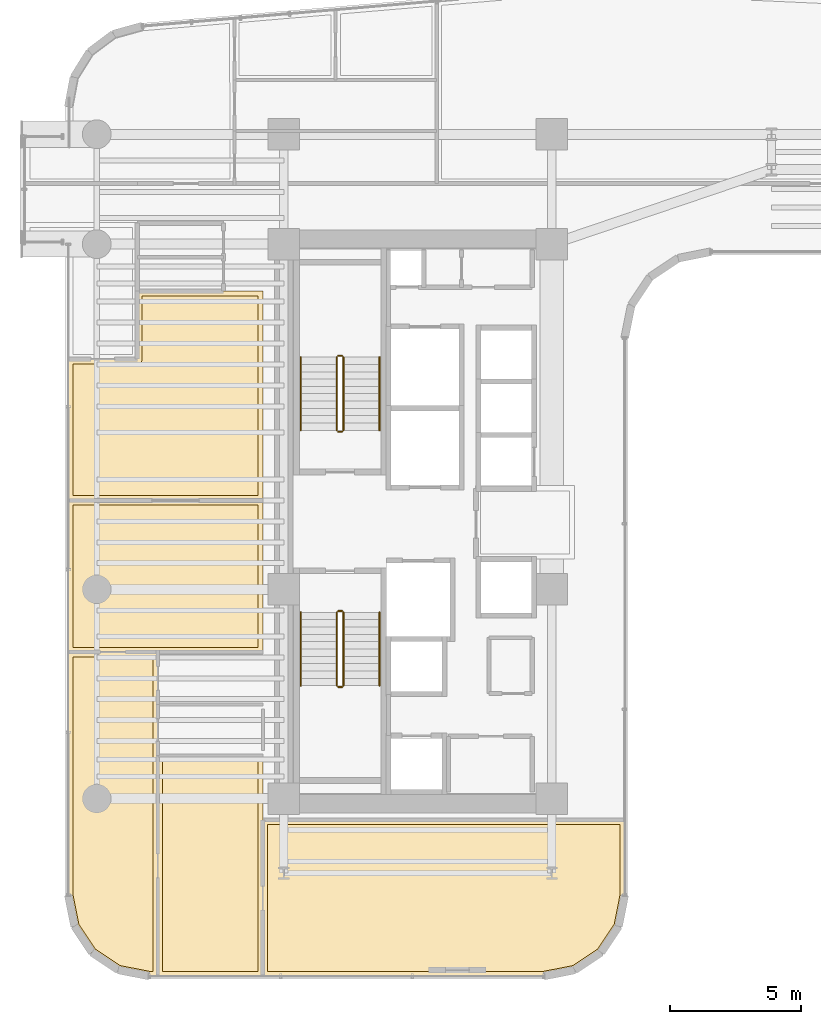
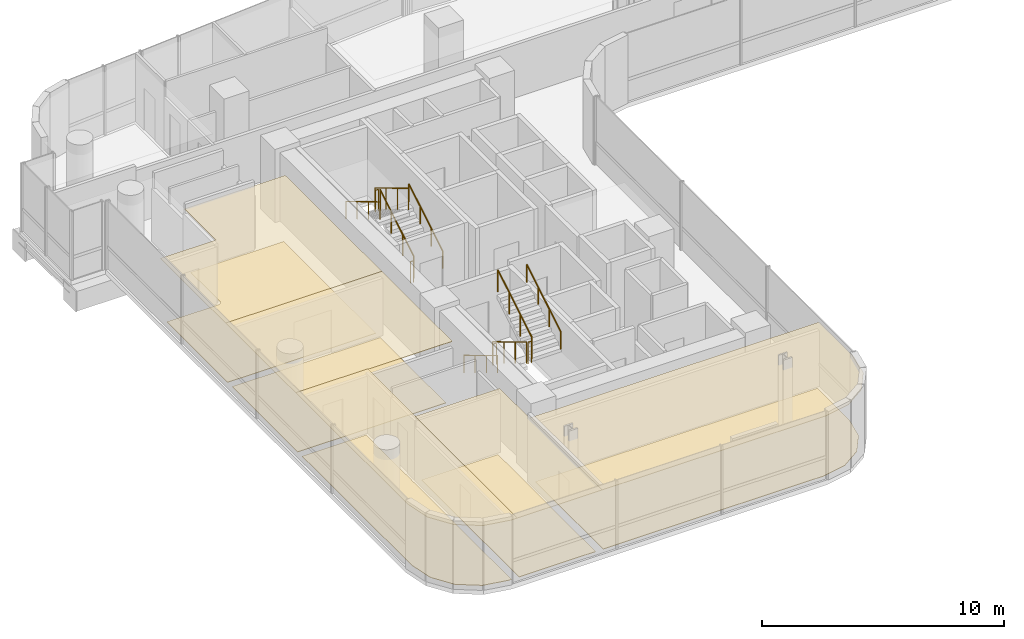
# One storey, part 32 of 35: 12 railings, 10 coverings.
"""IFC4 building model written with IfcOpenShell, lengths in metres."""

from ifc_helpers import new_model, si_unit, direction, frame, origin, origin_2d, place, context, subcontext, project, spatial, polyline, circle, outline, extrude, material, layer, layer_set, type_object, element, save


model = new_model("IFC4")

# Units and contexts
model_context = context("Model", 3, precision=1e-05, world=origin(), true_north=direction((0.0, 1.0)))
body_context = subcontext(model_context, "Body", "Model", "MODEL_VIEW")
ifc_project = project(units=[si_unit("LENGTHUNIT", "METRE"), si_unit("AREAUNIT", "SQUARE_METRE"), si_unit("VOLUMEUNIT", "CUBIC_METRE"), si_unit("PLANEANGLEUNIT", "RADIAN"), si_unit("MASSUNIT", "GRAM", prefix="KILO")], contexts=[model_context])

# Site, building, storey
site_placement = place(None, origin())
site = spatial("IfcSite", under=ifc_project, at=site_placement, CompositionType="ELEMENT")
building_placement = place(site_placement, origin())
building = spatial("IfcBuilding", under=site, at=building_placement, Name="Valdorenza Pilgrim Sanctuary Tower", CompositionType="ELEMENT")
storey_placement = place(building_placement, frame((0.0, 0.0, 150.10009765625)))
storey = spatial("IfcBuildingStorey", under=building, at=storey_placement, Name="L38", CompositionType="ELEMENT", Elevation=150.10009765625)

# Coverings
ifc_material_1 = material(Name="Micro-perforated acoustic mineral ceiling tile", Category="gypsum")
ifc_layer_1 = layer(ifc_material_1, 0.02490234375, Name="Micro-perforated acoustic mineral ceiling tile")
ifc_layer_set_1 = layer_set([ifc_layer_1], Name="Micro-perforated acoustic mineral ceiling tile")
covering_type_1 = type_object("IfcCoveringType", Name="COV-CLG-ACU", PredefinedType="CEILING", material=ifc_layer_set_1)
covering_1_placement = place(storey_placement, frame((0.0, 0.0, 3.159912109375)))
element("IfcCovering", 1, at=covering_1_placement, inside=storey, type_object=covering_type_1, Name="L38 Sanctuary Apartment L38-CS1 Bedroom Acoustic Ceiling", PredefinedType="CEILING", context=body_context, shape_type="SweptSolid", body=[
    extrude(outline(polyline([(-27.482666015625, -8.949951171875), (-27.482421875, -8.948486328125), (-27.482421875, -8.947021484375), (-27.48193359375, -8.945556640625), (-27.4814453125, -8.9443359375), (-27.480712890625, -8.94287109375), (-27.47998046875, -8.941650390625), (-27.479248046875, -8.9404296875), (-27.478271484375, -8.939453125), (-27.47705078125, -8.9384765625), (-27.475830078125, -8.9375), (-27.474609375, -8.936767578125), (-27.473388671875, -8.93603515625), (-27.471923828125, -8.935546875), (-27.470458984375, -8.935302734375), (-27.468994140625, -8.93505859375), (-27.467529296875, -8.93505859375), (-23.449951171875, -8.93505859375), (-23.448486328125, -8.93505859375), (-23.447021484375, -8.935302734375), (-23.445556640625, -8.935546875), (-23.4443359375, -8.93603515625), (-23.44287109375, -8.936767578125), (-23.441650390625, -8.9375), (-23.4404296875, -8.9384765625), (-23.439453125, -8.939453125), (-23.4384765625, -8.9404296875), (-23.4375, -8.941650390625), (-23.436767578125, -8.94287109375), (-23.43603515625, -8.9443359375), (-23.435546875, -8.945556640625), (-23.435302734375, -8.947021484375), (-23.43505859375, -8.948486328125), (-23.43505859375, -8.949951171875), (-23.43505859375, -17.389892578125), (-23.43505859375, -17.3916015625), (-23.435302734375, -17.392822265625), (-23.435546875, -17.394287109375), (-23.43603515625, -17.395751953125), (-23.436767578125, -17.397216796875), (-23.4375, -17.398193359375), (-23.4384765625, -17.3994140625), (-23.439453125, -17.400634765625), (-23.4404296875, -17.401611328125), (-23.441650390625, -17.402587890625), (-23.44287109375, -17.4033203125), (-23.4443359375, -17.40380859375), (-23.445556640625, -17.404296875), (-23.447021484375, -17.40478515625), (-23.448486328125, -17.40478515625), (-23.449951171875, -17.405029296875), (-27.467529296875, -17.405029296875), (-27.468994140625, -17.40478515625), (-27.470458984375, -17.40478515625), (-27.471923828125, -17.404296875), (-27.473388671875, -17.40380859375), (-27.474609375, -17.4033203125), (-27.475830078125, -17.402587890625), (-27.47705078125, -17.401611328125), (-27.478271484375, -17.400634765625), (-27.479248046875, -17.3994140625), (-27.47998046875, -17.398193359375), (-27.480712890625, -17.397216796875), (-27.4814453125, -17.395751953125), (-27.48193359375, -17.394287109375), (-27.482421875, -17.392822265625), (-27.482421875, -17.3916015625), (-27.482666015625, -17.389892578125), (-27.482666015625, -8.949951171875)])), origin(), (0.0, 0.0, 1.0), 0.02490234375),
])
covering_2_placement = place(storey_placement, frame((0.0, 0.0, 3.159912109375)))
element("IfcCovering", 2, at=covering_2_placement, inside=storey, type_object=covering_type_1, Name="L38 Sanctuary Apartment L38-CS1 Living Room Acoustic Ceiling", PredefinedType="CEILING", context=body_context, shape_type="SweptSolid", body=[
    extrude(outline(polyline([(-28.984619140625, -17.16748046875), (-28.986083984375, -17.1669921875), (-28.9873046875, -17.16650390625), (-28.98876953125, -17.166015625), (-28.989990234375, -17.165283203125), (-29.99169921875, -16.495849609375), (-29.992919921875, -16.4951171875), (-29.993896484375, -16.493896484375), (-29.9951171875, -16.492919921875), (-29.995849609375, -16.49169921875), (-30.665283203125, -15.489990234375), (-30.666015625, -15.48876953125), (-30.66650390625, -15.4873046875), (-30.6669921875, -15.486083984375), (-30.66748046875, -15.484619140625), (-30.90478515625, -14.2919921875), (-30.90478515625, -14.29052734375), (-30.905029296875, -14.289306640625), (-30.905029296875, -5.0), (-30.90478515625, -4.99853515625), (-30.90478515625, -4.9970703125), (-30.904296875, -4.99560546875), (-30.90380859375, -4.994384765625), (-30.9033203125, -4.992919921875), (-30.902587890625, -4.99169921875), (-30.901611328125, -4.990478515625), (-30.900634765625, -4.989501953125), (-30.8994140625, -4.98828125), (-30.898193359375, -4.987548828125), (-30.897216796875, -4.98681640625), (-30.895751953125, -4.986083984375), (-30.894287109375, -4.985595703125), (-30.892822265625, -4.9853515625), (-30.8916015625, -4.985107421875), (-30.889892578125, -4.985107421875), (-27.467529296875, -4.985107421875), (-27.466064453125, -4.985107421875), (-27.464599609375, -4.9853515625), (-27.463134765625, -4.985595703125), (-27.4619140625, -4.986083984375), (-27.46044921875, -4.98681640625), (-27.459228515625, -4.987548828125), (-27.4580078125, -4.98828125), (-27.45703125, -4.989501953125), (-27.4560546875, -4.990478515625), (-27.455078125, -4.99169921875), (-27.454345703125, -4.992919921875), (-27.45361328125, -4.994384765625), (-27.453125, -4.99560546875), (-27.452880859375, -4.9970703125), (-27.45263671875, -4.99853515625), (-27.45263671875, -5.0), (-27.45263671875, -8.947998046875), (-27.45263671875, -8.949462890625), (-27.452880859375, -8.950927734375), (-27.453369140625, -8.952392578125), (-27.453857421875, -8.953857421875), (-27.45458984375, -8.955322265625), (-27.45458984375, -8.95556640625), (-27.45458984375, -17.389892578125), (-27.45458984375, -17.3916015625), (-27.454833984375, -17.392822265625), (-27.455078125, -17.394287109375), (-27.455810546875, -17.395751953125), (-27.456298828125, -17.397216796875), (-27.45703125, -17.398193359375), (-27.4580078125, -17.3994140625), (-27.458984375, -17.400634765625), (-27.460205078125, -17.401611328125), (-27.461181640625, -17.402587890625), (-27.46240234375, -17.4033203125), (-27.4638671875, -17.40380859375), (-27.465087890625, -17.404296875), (-27.466796875, -17.40478515625), (-27.468017578125, -17.40478515625), (-27.469482421875, -17.405029296875), (-27.789306640625, -17.405029296875), (-27.79052734375, -17.40478515625), (-27.7919921875, -17.40478515625), (-28.984619140625, -17.16748046875)])), origin(), (0.0, 0.0, 1.0), 0.02490234375),
])
covering_3_placement = place(storey_placement, frame((0.0, 0.0, 3.159912109375)))
element("IfcCovering", 3, at=covering_3_placement, inside=storey, type_object=covering_type_1, Name="L38 South Contemplation Salon L38 Acoustic Ceiling", PredefinedType="CEILING", context=body_context, shape_type="SweptSolid", body=[
    extrude(outline(polyline([(-27.469482421875, -5.012939453125), (-30.889892578125, -5.012939453125), (-30.8916015625, -5.012939453125), (-30.892822265625, -5.0126953125), (-30.894287109375, -5.012451171875), (-30.895751953125, -5.011962890625), (-30.897216796875, -5.01123046875), (-30.898193359375, -5.010498046875), (-30.8994140625, -5.009521484375), (-30.900634765625, -5.008544921875), (-30.901611328125, -5.007568359375), (-30.902587890625, -5.00634765625), (-30.9033203125, -5.005126953125), (-30.90380859375, -5.003662109375), (-30.904296875, -5.00244140625), (-30.90478515625, -5.0009765625), (-30.90478515625, -4.99951171875), (-30.905029296875, -4.998046875), (-30.905029296875, 0.800048828125), (-30.90478515625, 0.801513671875), (-30.90478515625, 0.802978515625), (-30.904296875, 0.804443359375), (-30.90380859375, 0.8056640625), (-30.9033203125, 0.80712890625), (-30.902587890625, 0.808349609375), (-30.901611328125, 0.8095703125), (-30.900634765625, 0.810546875), (-30.8994140625, 0.8115234375), (-30.898193359375, 0.8125), (-30.897216796875, 0.813232421875), (-30.895751953125, 0.81396484375), (-30.894287109375, 0.814453125), (-30.892822265625, 0.814697265625), (-30.8916015625, 0.81494140625), (-30.889892578125, 0.81494140625), (-23.449951171875, 0.81494140625), (-23.448486328125, 0.81494140625), (-23.447021484375, 0.814697265625), (-23.445556640625, 0.814453125), (-23.4443359375, 0.81396484375), (-23.44287109375, 0.813232421875), (-23.441650390625, 0.8125), (-23.4404296875, 0.8115234375), (-23.439453125, 0.810546875), (-23.4384765625, 0.8095703125), (-23.4375, 0.808349609375), (-23.436767578125, 0.80712890625), (-23.43603515625, 0.8056640625), (-23.435546875, 0.804443359375), (-23.435302734375, 0.802978515625), (-23.43505859375, 0.801513671875), (-23.43505859375, 0.800048828125), (-23.43505859375, -4.998046875), (-23.43505859375, -4.99951171875), (-23.435302734375, -5.0009765625), (-23.435546875, -5.00244140625), (-23.43603515625, -5.003662109375), (-23.436767578125, -5.005126953125), (-23.4375, -5.00634765625), (-23.4384765625, -5.007568359375), (-23.439453125, -5.008544921875), (-23.4404296875, -5.009521484375), (-23.441650390625, -5.010498046875), (-23.44287109375, -5.01123046875), (-23.4443359375, -5.011962890625), (-23.445556640625, -5.012451171875), (-23.447021484375, -5.0126953125), (-23.448486328125, -5.012939453125), (-23.449951171875, -5.012939453125), (-27.4638671875, -5.012939453125), (-27.464599609375, -5.01318359375), (-27.466064453125, -5.01318359375), (-27.467529296875, -5.01318359375), (-27.468994140625, -5.01318359375), (-27.469482421875, -5.012939453125)])), origin(), (0.0, 0.0, 1.0), 0.02490234375),
])
covering_4_placement = place(storey_placement, frame((0.0, 0.0, 3.159912109375)))
element("IfcCovering", 4, at=covering_4_placement, inside=storey, type_object=covering_type_1, Name="L38 North Contemplation Salon L38 Acoustic Ceiling", PredefinedType="CEILING", context=body_context, shape_type="SweptSolid", body=[
    extrude(outline(polyline([(-28.262939453125, 6.212890625), (-28.262939453125, 8.798095703125), (-28.262939453125, 8.799560546875), (-28.2626953125, 8.80078125), (-28.262451171875, 8.802490234375), (-28.261962890625, 8.8037109375), (-28.26123046875, 8.80517578125), (-28.260498046875, 8.806396484375), (-28.259521484375, 8.8076171875), (-28.258544921875, 8.80859375), (-28.257568359375, 8.8095703125), (-28.25634765625, 8.810546875), (-28.255126953125, 8.811279296875), (-28.253662109375, 8.81201171875), (-28.25244140625, 8.8125), (-28.2509765625, 8.812744140625), (-28.24951171875, 8.81298828125), (-28.248046875, 8.81298828125), (-24.955322265625, 8.81298828125), (-24.954833984375, 8.813232421875), (-24.95361328125, 8.81396484375), (-24.9521484375, 8.814453125), (-24.95068359375, 8.814697265625), (-24.949462890625, 8.81494140625), (-24.947998046875, 8.81494140625), (-23.449951171875, 8.81494140625), (-23.448486328125, 8.81494140625), (-23.447021484375, 8.814697265625), (-23.445556640625, 8.814453125), (-23.4443359375, 8.81396484375), (-23.44287109375, 8.813232421875), (-23.441650390625, 8.8125), (-23.4404296875, 8.8115234375), (-23.439453125, 8.810546875), (-23.4384765625, 8.8095703125), (-23.4375, 8.808349609375), (-23.436767578125, 8.80712890625), (-23.43603515625, 8.8056640625), (-23.435546875, 8.804443359375), (-23.435302734375, 8.802978515625), (-23.43505859375, 8.801513671875), (-23.43505859375, 8.800048828125), (-23.43505859375, 0.802001953125), (-23.43505859375, 0.800537109375), (-23.435302734375, 0.799072265625), (-23.435546875, 0.797607421875), (-23.43603515625, 0.79638671875), (-23.436767578125, 0.794921875), (-23.4375, 0.793701171875), (-23.4384765625, 0.79248046875), (-23.439453125, 0.79150390625), (-23.4404296875, 0.790283203125), (-23.441650390625, 0.78955078125), (-23.44287109375, 0.788818359375), (-23.4443359375, 0.7880859375), (-23.445556640625, 0.78759765625), (-23.447021484375, 0.787353515625), (-23.448486328125, 0.787109375), (-23.449951171875, 0.787109375), (-30.889892578125, 0.787109375), (-30.8916015625, 0.787109375), (-30.892822265625, 0.787353515625), (-30.894287109375, 0.78759765625), (-30.895751953125, 0.7880859375), (-30.897216796875, 0.788818359375), (-30.898193359375, 0.78955078125), (-30.8994140625, 0.790283203125), (-30.900634765625, 0.79150390625), (-30.901611328125, 0.79248046875), (-30.902587890625, 0.793701171875), (-30.9033203125, 0.794921875), (-30.90380859375, 0.79638671875), (-30.904296875, 0.797607421875), (-30.90478515625, 0.799072265625), (-30.90478515625, 0.800537109375), (-30.905029296875, 0.802001953125), (-30.905029296875, 6.197998046875), (-30.90478515625, 6.199462890625), (-30.90478515625, 6.200927734375), (-30.904296875, 6.202392578125), (-30.90380859375, 6.20361328125), (-30.9033203125, 6.205078125), (-30.902587890625, 6.206298828125), (-30.901611328125, 6.20751953125), (-30.900634765625, 6.20849609375), (-30.8994140625, 6.209716796875), (-30.898193359375, 6.21044921875), (-30.897216796875, 6.211181640625), (-30.895751953125, 6.2119140625), (-30.894287109375, 6.21240234375), (-30.892822265625, 6.212646484375), (-30.8916015625, 6.212890625), (-30.889892578125, 6.212890625), (-28.262939453125, 6.212890625)])), origin(), (0.0, 0.0, 1.0), 0.02490234375),
])
covering_5_placement = place(storey_placement, frame((0.0, 0.0, 3.159912109375)))
element("IfcCovering", 5, at=covering_5_placement, inside=storey, type_object=covering_type_1, Name="L38 Sacred Archive Reading Library L38-S Acoustic Ceiling", PredefinedType="CEILING", context=body_context, shape_type="SweptSolid", body=[
    extrude(outline(polyline([(-9.610107421875, -11.405029296875), (-9.6083984375, -11.405029296875), (-9.607177734375, -11.4052734375), (-9.605712890625, -11.405517578125), (-9.604248046875, -11.406005859375), (-9.602783203125, -11.40673828125), (-9.601806640625, -11.407470703125), (-9.6005859375, -11.408447265625), (-9.599365234375, -11.409423828125), (-9.598388671875, -11.410400390625), (-9.597412109375, -11.41162109375), (-9.5966796875, -11.412841796875), (-9.59619140625, -11.414306640625), (-9.595703125, -11.41552734375), (-9.59521484375, -11.4169921875), (-9.59521484375, -11.41845703125), (-9.594970703125, -11.419921875), (-9.594970703125, -14.289306640625), (-9.59521484375, -14.29052734375), (-9.59521484375, -14.2919921875), (-9.83251953125, -15.484619140625), (-9.8330078125, -15.486083984375), (-9.83349609375, -15.4873046875), (-9.833984375, -15.48876953125), (-9.834716796875, -15.489990234375), (-10.504150390625, -16.49169921875), (-10.5048828125, -16.492919921875), (-10.506103515625, -16.493896484375), (-10.507080078125, -16.4951171875), (-10.50830078125, -16.495849609375), (-11.510009765625, -17.165283203125), (-11.51123046875, -17.166015625), (-11.5126953125, -17.16650390625), (-11.513916015625, -17.1669921875), (-11.515380859375, -17.16748046875), (-12.7080078125, -17.40478515625), (-12.70947265625, -17.40478515625), (-12.710693359375, -17.405029296875), (-23.447998046875, -17.405029296875), (-23.449462890625, -17.40478515625), (-23.450927734375, -17.40478515625), (-23.452392578125, -17.404296875), (-23.45361328125, -17.40380859375), (-23.455078125, -17.4033203125), (-23.456298828125, -17.402587890625), (-23.45751953125, -17.401611328125), (-23.45849609375, -17.400634765625), (-23.459716796875, -17.3994140625), (-23.46044921875, -17.398193359375), (-23.461181640625, -17.397216796875), (-23.4619140625, -17.395751953125), (-23.46240234375, -17.394287109375), (-23.462646484375, -17.392822265625), (-23.462890625, -17.3916015625), (-23.462890625, -17.389892578125), (-23.462890625, -11.419921875), (-23.462890625, -11.41845703125), (-23.462646484375, -11.4169921875), (-23.46240234375, -11.41552734375), (-23.4619140625, -11.414306640625), (-23.461181640625, -11.412841796875), (-23.46044921875, -11.41162109375), (-23.459716796875, -11.410400390625), (-23.45849609375, -11.409423828125), (-23.45751953125, -11.408447265625), (-23.456298828125, -11.407470703125), (-23.455078125, -11.40673828125), (-23.45361328125, -11.406005859375), (-23.452392578125, -11.405517578125), (-23.450927734375, -11.4052734375), (-23.449462890625, -11.405029296875), (-23.447998046875, -11.405029296875), (-9.610107421875, -11.405029296875)])), origin(), (0.0, 0.0, 1.0), 0.02490234375),
])
ifc_material_2 = material(Name="Engineered European oak timber flooring", Category="wood")
ifc_layer_2 = layer(ifc_material_2, 0.02197265625, Name="Engineered European oak timber flooring")
ifc_layer_set_2 = layer_set([ifc_layer_2], Name="Engineered European oak timber flooring")
covering_type_2 = type_object("IfcCoveringType", Name="COV-FLR-OAK", PredefinedType="FLOORING", material=ifc_layer_set_2)
covering_6_placement = place(storey_placement, origin())
element("IfcCovering", 6, at=covering_6_placement, inside=storey, type_object=covering_type_2, Name="L38 Sanctuary Apartment L38-CS1 Bedroom Flooring", PredefinedType="FLOORING", context=body_context, shape_type="SweptSolid", body=[
    extrude(outline(polyline([(-27.28759765625, -9.1298828125), (-23.6298828125, -9.1298828125), (-23.6298828125, -17.2099609375), (-27.28759765625, -17.2099609375), (-27.28759765625, -9.1298828125)])), origin(), (0.0, 0.0, 1.0), 0.02490234375),
])
covering_7_placement = place(storey_placement, origin())
element("IfcCovering", 7, at=covering_7_placement, inside=storey, type_object=covering_type_2, Name="L38 Sanctuary Apartment L38-CS1 Living Room Flooring", PredefinedType="FLOORING", context=body_context, shape_type="SweptSolid", body=[
    extrude(outline(polyline([(-28.911376953125, -16.983154296875), (-29.853515625, -16.353515625), (-30.483154296875, -15.411376953125), (-30.7099609375, -14.271484375), (-30.7099609375, -5.179931640625), (-27.647705078125, -5.179931640625), (-27.647705078125, -8.923095703125), (-27.647705078125, -8.923095703125), (-27.647705078125, -8.92333984375), (-27.6494140625, -8.94091796875), (-27.6494140625, -8.941162109375), (-27.649658203125, -8.949951171875), (-27.649658203125, -17.2099609375), (-27.771484375, -17.2099609375), (-28.911376953125, -16.983154296875)])), origin(), (0.0, 0.0, 1.0), 0.02490234375),
])
ifc_material_3 = material(Name="Honed travertine stone flooring", Category="masonry")
ifc_layer_3 = layer(ifc_material_3, 0.030029296875, Name="Honed travertine stone flooring")
ifc_layer_set_3 = layer_set([ifc_layer_3], Name="Honed travertine stone flooring")
covering_type_3 = type_object("IfcCoveringType", Name="COV-FLR-TRV", PredefinedType="FLOORING", material=ifc_layer_set_3)
covering_8_placement = place(storey_placement, origin())
element("IfcCovering", 8, at=covering_8_placement, inside=storey, type_object=covering_type_3, Name="L38 South Contemplation Salon L38 Flooring", PredefinedType="FLOORING", context=body_context, shape_type="SweptSolid", body=[
    extrude(outline(polyline([(-27.46728515625, -4.818115234375), (-27.467529296875, -4.818115234375), (-30.7099609375, -4.818115234375), (-30.7099609375, 0.6201171875), (-23.6298828125, 0.6201171875), (-23.6298828125, -4.818115234375), (-27.465576171875, -4.818115234375), (-27.466552734375, -4.818115234375), (-27.46728515625, -4.818115234375)])), origin(), (0.0, 0.0, 1.0), 0.02490234375),
])
covering_9_placement = place(storey_placement, origin())
element("IfcCovering", 9, at=covering_9_placement, inside=storey, type_object=covering_type_3, Name="L38 North Contemplation Salon L38 Flooring", PredefinedType="FLOORING", context=body_context, shape_type="SweptSolid", body=[
    extrude(outline(polyline([(-23.6298828125, 8.619873046875), (-23.6298828125, 0.98193359375), (-30.7099609375, 0.98193359375), (-30.7099609375, 6.01806640625), (-28.25, 6.01806640625), (-28.2412109375, 6.018310546875), (-28.240966796875, 6.018310546875), (-28.223388671875, 6.02001953125), (-28.22314453125, 6.02001953125), (-28.205810546875, 6.0234375), (-28.205810546875, 6.0234375), (-28.188720703125, 6.028564453125), (-28.188720703125, 6.02880859375), (-28.17236328125, 6.035400390625), (-28.172119140625, 6.035400390625), (-28.156494140625, 6.043701171875), (-28.156494140625, 6.0439453125), (-28.1416015625, 6.0537109375), (-28.1416015625, 6.053955078125), (-28.1279296875, 6.065185546875), (-28.127685546875, 6.065185546875), (-28.115234375, 6.07763671875), (-28.114990234375, 6.077880859375), (-28.10400390625, 6.091552734375), (-28.103759765625, 6.091796875), (-28.093994140625, 6.1064453125), (-28.09375, 6.1064453125), (-28.08544921875, 6.1220703125), (-28.08544921875, 6.122314453125), (-28.07861328125, 6.138671875), (-28.07861328125, 6.138916015625), (-28.073486328125, 6.15576171875), (-28.073486328125, 6.156005859375), (-28.070068359375, 6.173095703125), (-28.070068359375, 6.17333984375), (-28.068115234375, 6.19091796875), (-28.068115234375, 6.191162109375), (-28.068115234375, 6.199951171875), (-28.068115234375, 8.617919921875), (-24.949951171875, 8.617919921875), (-24.94970703125, 8.617919921875), (-23.6298828125, 8.619873046875)])), origin(), (0.0, 0.0, 1.0), 0.02490234375),
])
covering_10_placement = place(storey_placement, origin())
element("IfcCovering", 10, at=covering_10_placement, inside=storey, type_object=covering_type_3, Name="L38 Sacred Archive Reading Library L38-S Flooring", PredefinedType="FLOORING", context=body_context, shape_type="SweptSolid", body=[
    extrude(outline(polyline([(-9.7900390625, -11.60009765625), (-9.7900390625, -14.271484375), (-10.016845703125, -15.411376953125), (-10.646484375, -16.353515625), (-11.588623046875, -16.983154296875), (-12.728515625, -17.2099609375), (-23.26806640625, -17.2099609375), (-23.26806640625, -11.60009765625), (-9.7900390625, -11.60009765625)])), origin(), (0.0, 0.0, 1.0), 0.02490234375),
])

# Railings
ifc_material_4 = material(Name="Stainless steel Grade 316", Category="steel")
railing_type_1 = type_object("IfcRailingType", Name="RLG-GRD-1120", PredefinedType="GUARDRAIL", material=ifc_material_4)
railing_1_placement = place(storey_placement, frame((-20.3701171875, 3.47998046875, 0.16796875)))
element("IfcRailing", 11, at=railing_1_placement, inside=storey, type_object=railing_type_1, Name="L38 ST-A1 stair guard 1", PredefinedType="GUARDRAIL", context=body_context, shape_type="SweptSolid", body=[
    extrude(circle(Radius=0.02392578125, at=origin_2d()), frame((0.0, 0.0, 1.076171875), z_axis=(0.0, 0.857242210791, 0.514913383045), x_axis=(-1.0, 0.0, 0.0)), (0.0, 0.0, 1.0), 3.266357421875),
    extrude(circle(Radius=0.02099609375, at=origin_2d()), origin(), (0.0, 0.0, 1.0), 1.052001953125),
    extrude(circle(Radius=0.02099609375, at=origin_2d()), frame((0.0, 0.933349609375, 0.560546875)), (0.0, 0.0, 1.0), 1.052001953125),
    extrude(circle(Radius=0.02099609375, at=origin_2d()), frame((0.0, 1.86669921875, 1.121337890625)), (0.0, 0.0, 1.0), 1.052001953125),
    extrude(circle(Radius=0.02099609375, at=origin_2d()), frame((0.0, 2.800048828125, 1.681884765625)), (0.0, 0.0, 1.0), 1.052001953125),
])
railing_2_placement = place(storey_placement, frame((-20.419921875, 6.330078125, 1.849853515625)))
element("IfcRailing", 12, at=railing_2_placement, inside=storey, type_object=railing_type_1, Name="L38 ST-A1 stair guard 2", PredefinedType="GUARDRAIL", context=body_context, shape_type="SweptSolid", body=[
    extrude(circle(Radius=0.02392578125, at=origin_2d()), frame((0.0, 0.0, 1.076171875), z_axis=(-1.0, 0.0, 0.0), x_axis=(0.0, -1.0, 0.0)), (0.0, 0.0, 1.0), 0.150146484375),
    extrude(circle(Radius=0.02099609375, at=origin_2d()), origin(), (0.0, 0.0, 1.0), 1.052001953125),
    extrude(circle(Radius=0.02099609375, at=origin_2d()), frame((-0.150146484375, 0.0, 0.0)), (0.0, 0.0, 1.0), 1.052001953125),
])
railing_3_placement = place(storey_placement, frame((-20.6201171875, 6.280029296875, 2.01806640625)))
element("IfcRailing", 13, at=railing_3_placement, inside=storey, type_object=railing_type_1, Name="L38 ST-A1 stair guard 3", PredefinedType="GUARDRAIL", context=body_context, shape_type="SweptSolid", body=[
    extrude(circle(Radius=0.02392578125, at=origin_2d()), frame((0.0, 0.0, 1.076171875), z_axis=(0.0, -0.857242210791, 0.514913383045), x_axis=(1.0, 0.0, 0.0)), (0.0, 0.0, 1.0), 3.266357421875),
    extrude(circle(Radius=0.02099609375, at=origin_2d()), origin(), (0.0, 0.0, 1.0), 1.052001953125),
    extrude(circle(Radius=0.02099609375, at=origin_2d()), frame((0.0, -0.933349609375, 0.560546875)), (0.0, 0.0, 1.0), 1.052001953125),
    extrude(circle(Radius=0.02099609375, at=origin_2d()), frame((0.0, -1.86669921875, 1.121337890625)), (0.0, 0.0, 1.0), 1.052001953125),
    extrude(circle(Radius=0.02099609375, at=origin_2d()), frame((0.0, -2.800048828125, 1.681884765625)), (0.0, 0.0, 1.0), 1.052001953125),
])
railing_4_placement = place(storey_placement, frame((-20.419921875, 3.429931640625, 0.0)))
element("IfcRailing", 14, at=railing_4_placement, inside=storey, type_object=railing_type_1, Name="L38 ST-A1 stair guard 4", PredefinedType="GUARDRAIL", context=body_context, shape_type="SweptSolid", body=[
    extrude(circle(Radius=0.02392578125, at=origin_2d()), frame((0.0, 0.0, 1.076171875), z_axis=(-1.0, 0.0, 0.0), x_axis=(0.0, -1.0, 0.0)), (0.0, 0.0, 1.0), 0.150146484375),
    extrude(circle(Radius=0.02099609375, at=origin_2d()), origin(), (0.0, 0.0, 1.0), 1.052001953125),
    extrude(circle(Radius=0.02099609375, at=origin_2d()), frame((-0.150146484375, 0.0, 0.0)), (0.0, 0.0, 1.0), 1.052001953125),
])
railing_5_placement = place(storey_placement, frame((-20.6201171875, -3.47998046875, 0.16796875)))
element("IfcRailing", 15, at=railing_5_placement, inside=storey, type_object=railing_type_1, Name="L38 ST-A2 stair guard 1", PredefinedType="GUARDRAIL", context=body_context, shape_type="SweptSolid", body=[
    extrude(circle(Radius=0.02392578125, at=origin_2d()), frame((0.0, 0.0, 1.076171875), z_axis=(0.0, -0.857242210791, 0.514913383045), x_axis=(1.0, 0.0, 0.0)), (0.0, 0.0, 1.0), 3.266357421875),
    extrude(circle(Radius=0.02099609375, at=origin_2d()), origin(), (0.0, 0.0, 1.0), 1.052001953125),
    extrude(circle(Radius=0.02099609375, at=origin_2d()), frame((0.0, -0.933349609375, 0.560546875)), (0.0, 0.0, 1.0), 1.052001953125),
    extrude(circle(Radius=0.02099609375, at=origin_2d()), frame((0.0, -1.86669921875, 1.121337890625)), (0.0, 0.0, 1.0), 1.052001953125),
    extrude(circle(Radius=0.02099609375, at=origin_2d()), frame((0.0, -2.800048828125, 1.681884765625)), (0.0, 0.0, 1.0), 1.052001953125),
])
railing_6_placement = place(storey_placement, frame((-20.570068359375, -6.330078125, 1.849853515625)))
element("IfcRailing", 16, at=railing_6_placement, inside=storey, type_object=railing_type_1, Name="L38 ST-A2 stair guard 2", PredefinedType="GUARDRAIL", context=body_context, shape_type="SweptSolid", body=[
    extrude(circle(Radius=0.02392578125, at=origin_2d()), frame((0.0, 0.0, 1.076171875), z_axis=(1.0, 0.0, 0.0), x_axis=(0.0, 1.0, 0.0)), (0.0, 0.0, 1.0), 0.150146484375),
    extrude(circle(Radius=0.02099609375, at=origin_2d()), origin(), (0.0, 0.0, 1.0), 1.052001953125),
    extrude(circle(Radius=0.02099609375, at=origin_2d()), frame((0.150146484375, 0.0, 0.0)), (0.0, 0.0, 1.0), 1.052001953125),
])
railing_7_placement = place(storey_placement, frame((-20.3701171875, -6.280029296875, 2.01806640625)))
element("IfcRailing", 17, at=railing_7_placement, inside=storey, type_object=railing_type_1, Name="L38 ST-A2 stair guard 3", PredefinedType="GUARDRAIL", context=body_context, shape_type="SweptSolid", body=[
    extrude(circle(Radius=0.02392578125, at=origin_2d()), frame((0.0, 0.0, 1.076171875), z_axis=(0.0, 0.857242210791, 0.514913383045), x_axis=(-1.0, 0.0, 0.0)), (0.0, 0.0, 1.0), 3.266357421875),
    extrude(circle(Radius=0.02099609375, at=origin_2d()), origin(), (0.0, 0.0, 1.0), 1.052001953125),
    extrude(circle(Radius=0.02099609375, at=origin_2d()), frame((0.0, 0.933349609375, 0.560546875)), (0.0, 0.0, 1.0), 1.052001953125),
    extrude(circle(Radius=0.02099609375, at=origin_2d()), frame((0.0, 1.86669921875, 1.121337890625)), (0.0, 0.0, 1.0), 1.052001953125),
    extrude(circle(Radius=0.02099609375, at=origin_2d()), frame((0.0, 2.800048828125, 1.681884765625)), (0.0, 0.0, 1.0), 1.052001953125),
])
railing_8_placement = place(storey_placement, frame((-20.570068359375, -3.429931640625, 0.0)))
element("IfcRailing", 18, at=railing_8_placement, inside=storey, type_object=railing_type_1, Name="L38 ST-A2 stair guard 4", PredefinedType="GUARDRAIL", context=body_context, shape_type="SweptSolid", body=[
    extrude(circle(Radius=0.02392578125, at=origin_2d()), frame((0.0, 0.0, 1.076171875), z_axis=(1.0, 0.0, 0.0), x_axis=(0.0, 1.0, 0.0)), (0.0, 0.0, 1.0), 0.150146484375),
    extrude(circle(Radius=0.02099609375, at=origin_2d()), origin(), (0.0, 0.0, 1.0), 1.052001953125),
    extrude(circle(Radius=0.02099609375, at=origin_2d()), frame((0.150146484375, 0.0, 0.0)), (0.0, 0.0, 1.0), 1.052001953125),
])
ifc_material_5 = material(Name="Brushed stainless steel Grade 316", Category="steel")
railing_type_2 = type_object("IfcRailingType", Name="RLG-HND-920", PredefinedType="HANDRAIL", material=ifc_material_5)
railing_9_placement = place(storey_placement, frame((-18.989990234375, 3.47998046875, 0.16796875)))
element("IfcRailing", 19, at=railing_9_placement, inside=storey, type_object=railing_type_2, Name="L38 ST-A1 stair handrail 1", PredefinedType="HANDRAIL", context=body_context, shape_type="SweptSolid", body=[
    extrude(circle(Radius=0.02392578125, at=origin_2d()), frame((0.0, 0.0, 0.8759765625), z_axis=(0.0, 0.857242210791, 0.514913383045), x_axis=(-1.0, 0.0, 0.0)), (0.0, 0.0, 1.0), 3.266357421875),
    extrude(circle(Radius=0.02099609375, at=origin_2d()), origin(), (0.0, 0.0, 1.0), 0.851806640625),
    extrude(circle(Radius=0.02099609375, at=origin_2d()), frame((0.0, 0.933349609375, 0.560546875)), (0.0, 0.0, 1.0), 0.851806640625),
    extrude(circle(Radius=0.02099609375, at=origin_2d()), frame((0.0, 1.86669921875, 1.121337890625)), (0.0, 0.0, 1.0), 0.851806640625),
    extrude(circle(Radius=0.02099609375, at=origin_2d()), frame((0.0, 2.800048828125, 1.681884765625)), (0.0, 0.0, 1.0), 0.851806640625),
])
for number, where, name in (
    (20, (-22.0, 6.280029296875, 2.01806640625), "L38 ST-A1 stair handrail 2"),
    (21, (-22.0, -3.47998046875, 0.16796875), "L38 ST-A2 stair handrail 1"),
):
    element("IfcRailing", number, at=place(storey_placement, frame(where)), inside=storey, type_object=railing_type_2, Name=name, PredefinedType="HANDRAIL", context=body_context, shape_type="SweptSolid", body=[
        extrude(circle(Radius=0.02392578125, at=origin_2d()), frame((0.0, 0.0, 0.8759765625), z_axis=(0.0, -0.857242210791, 0.514913383045), x_axis=(1.0, 0.0, 0.0)), (0.0, 0.0, 1.0), 3.266357421875),
        extrude(circle(Radius=0.02099609375, at=origin_2d()), origin(), (0.0, 0.0, 1.0), 0.851806640625),
        extrude(circle(Radius=0.02099609375, at=origin_2d()), frame((0.0, -0.933349609375, 0.560546875)), (0.0, 0.0, 1.0), 0.851806640625),
        extrude(circle(Radius=0.02099609375, at=origin_2d()), frame((0.0, -1.86669921875, 1.121337890625)), (0.0, 0.0, 1.0), 0.851806640625),
        extrude(circle(Radius=0.02099609375, at=origin_2d()), frame((0.0, -2.800048828125, 1.681884765625)), (0.0, 0.0, 1.0), 0.851806640625),
    ])
railing_10_placement = place(storey_placement, frame((-18.989990234375, -6.280029296875, 2.01806640625)))
element("IfcRailing", 22, at=railing_10_placement, inside=storey, type_object=railing_type_2, Name="L38 ST-A2 stair handrail 2", PredefinedType="HANDRAIL", context=body_context, shape_type="SweptSolid", body=[
    extrude(circle(Radius=0.02392578125, at=origin_2d()), frame((0.0, 0.0, 0.8759765625), z_axis=(0.0, 0.857242210791, 0.514913383045), x_axis=(-1.0, 0.0, 0.0)), (0.0, 0.0, 1.0), 3.266357421875),
    extrude(circle(Radius=0.02099609375, at=origin_2d()), origin(), (0.0, 0.0, 1.0), 0.851806640625),
    extrude(circle(Radius=0.02099609375, at=origin_2d()), frame((0.0, 0.933349609375, 0.560546875)), (0.0, 0.0, 1.0), 0.851806640625),
    extrude(circle(Radius=0.02099609375, at=origin_2d()), frame((0.0, 1.86669921875, 1.121337890625)), (0.0, 0.0, 1.0), 0.851806640625),
    extrude(circle(Radius=0.02099609375, at=origin_2d()), frame((0.0, 2.800048828125, 1.681884765625)), (0.0, 0.0, 1.0), 0.851806640625),
])

save(model, "model.ifc")
